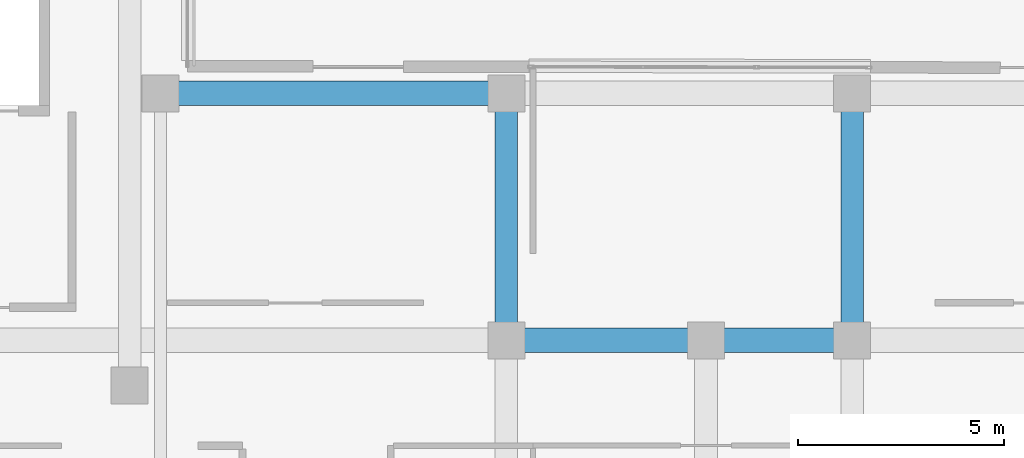
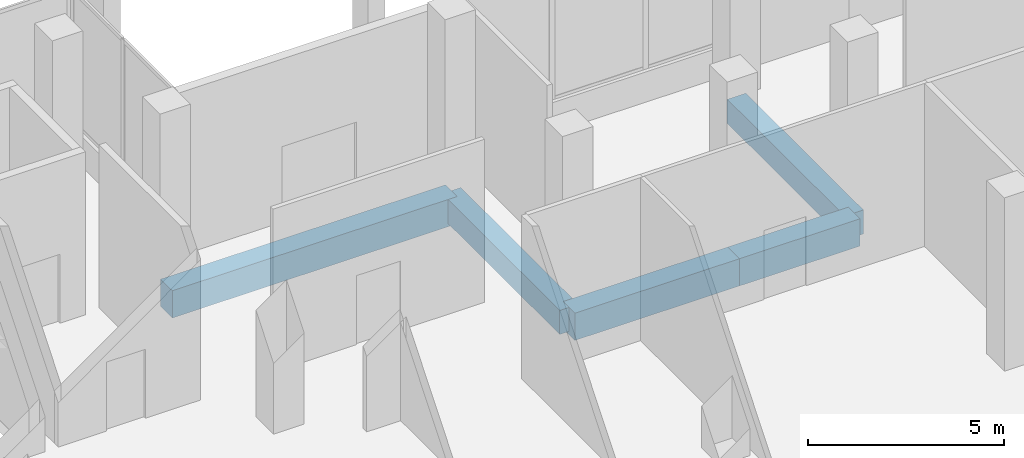
# One storey, part 115 of 158: 5 beams.
"""IFC4 building model written with IfcOpenShell, lengths in metres."""

from ifc_helpers import new_model, si_unit, direction, frame, origin, origin_2d, place, context, subcontext, project, spatial, rectangle, extrude, material, material_profile, profile_set, type_object, element, save


model = new_model("IFC4")

# Units and contexts
model_context = context("Model", 3, precision=1e-05, world=origin(), true_north=direction((0.0, 1.0)))
body_context = subcontext(model_context, "Body", "Model", "MODEL_VIEW")
ifc_project = project(units=[si_unit("LENGTHUNIT", "METRE"), si_unit("AREAUNIT", "SQUARE_METRE"), si_unit("VOLUMEUNIT", "CUBIC_METRE"), si_unit("PLANEANGLEUNIT", "RADIAN"), si_unit("MASSUNIT", "GRAM", prefix="KILO")], contexts=[model_context])

# Site, building, storey
site_placement = place(None, origin())
site = spatial("IfcSite", under=ifc_project, at=site_placement, CompositionType="ELEMENT")
building_placement = place(site_placement, origin())
building = spatial("IfcBuilding", under=site, at=building_placement, Name="Selatvlak General Hospital", CompositionType="ELEMENT")
storey_placement = place(building_placement, origin())
storey = spatial("IfcBuildingStorey", under=building, at=storey_placement, Name="L00", CompositionType="ELEMENT", Elevation=0.0)

# Beams
ifc_material = material(Name="Concrete C40/50", Category="concrete")
ifc_material_profile_1 = material_profile(ifc_material, rectangle(XDim=0.60009765625, YDim=0.85009765625, at=origin_2d()), Name="RC-BM 600x850")
ifc_profile_set_1 = profile_set([ifc_material_profile_1], Name="Concrete C40/50")
beam_type_1 = type_object("IfcBeamType", Name="BM-G01", PredefinedType="BEAM", material=ifc_profile_set_1)
beam_1_placement = place(storey_placement, frame((156.550048828125, 108.0, -0.77490234375), z_axis=(1.0, 0.0, 0.0), x_axis=(0.0, 1.0, 0.0)))
element("IfcBeam", 1, at=beam_1_placement, inside=storey, type_object=beam_type_1, Name="Beam BMR-L00-0128", PredefinedType="BEAM", context=body_context, shape_type="SweptSolid", body=[
    extrude(rectangle(XDim=0.60009765625, YDim=0.85009765625, at=origin_2d()), origin(), (0.0, 0.0, 1.0), 4.849853515625),
])
beam_2_placement = place(storey_placement, frame((161.39990234375, 108.0, -0.77490234375), z_axis=(1.0, 0.0, 0.0), x_axis=(0.0, 1.0, 0.0)))
element("IfcBeam", 2, at=beam_2_placement, inside=storey, type_object=beam_type_1, Name="Beam BMR-L00-0129", PredefinedType="BEAM", context=body_context, shape_type="SweptSolid", body=[
    extrude(rectangle(XDim=0.60009765625, YDim=0.85009765625, at=origin_2d()), origin(), (0.0, 0.0, 1.0), 3.550048828125),
])
beam_3_placement = place(storey_placement, frame((148.14990234375, 114.0, -0.77490234375), z_axis=(1.0, 0.0, 0.0), x_axis=(0.0, 1.0, 0.0)))
element("IfcBeam", 3, at=beam_3_placement, inside=storey, type_object=beam_type_1, Name="Beam BMR-L00-0142", PredefinedType="BEAM", context=body_context, shape_type="SweptSolid", body=[
    extrude(rectangle(XDim=0.60009765625, YDim=0.85009765625, at=origin_2d()), origin(), (0.0, 0.0, 1.0), 8.400146484375),
])
ifc_material_profile_2 = material_profile(ifc_material, rectangle(XDim=0.550048828125, YDim=0.75, at=origin_2d()), Name="RC-BM 550x750")
ifc_profile_set_2 = profile_set([ifc_material_profile_2], Name="Concrete C40/50")
beam_type_2 = type_object("IfcBeamType", Name="BM-G02", PredefinedType="BEAM", material=ifc_profile_set_2)
for number, where, z_axis, x_axis, name in (
    (4, (156.550048828125, 108.0, -0.72509765625), (0.0, 1.0, 0.0), (-1.0, 0.0, 0.0), "Beam BMR-L00-0283"),
    (5, (164.949951171875, 108.0, -0.72509765625), (0.0, 1.0, 0.0), (-1.0, 0.0, 0.0), "Beam BMR-L00-0291"),
):
    element("IfcBeam", number, at=place(storey_placement, frame(where, z_axis=z_axis, x_axis=x_axis)), inside=storey, type_object=beam_type_2, Name=name, PredefinedType="BEAM", context=body_context, shape_type="SweptSolid", body=[
        extrude(rectangle(XDim=0.550048828125, YDim=0.75, at=origin_2d()), origin(), (0.0, 0.0, 1.0), 6.0),
    ])

save(model, "model.ifc")
